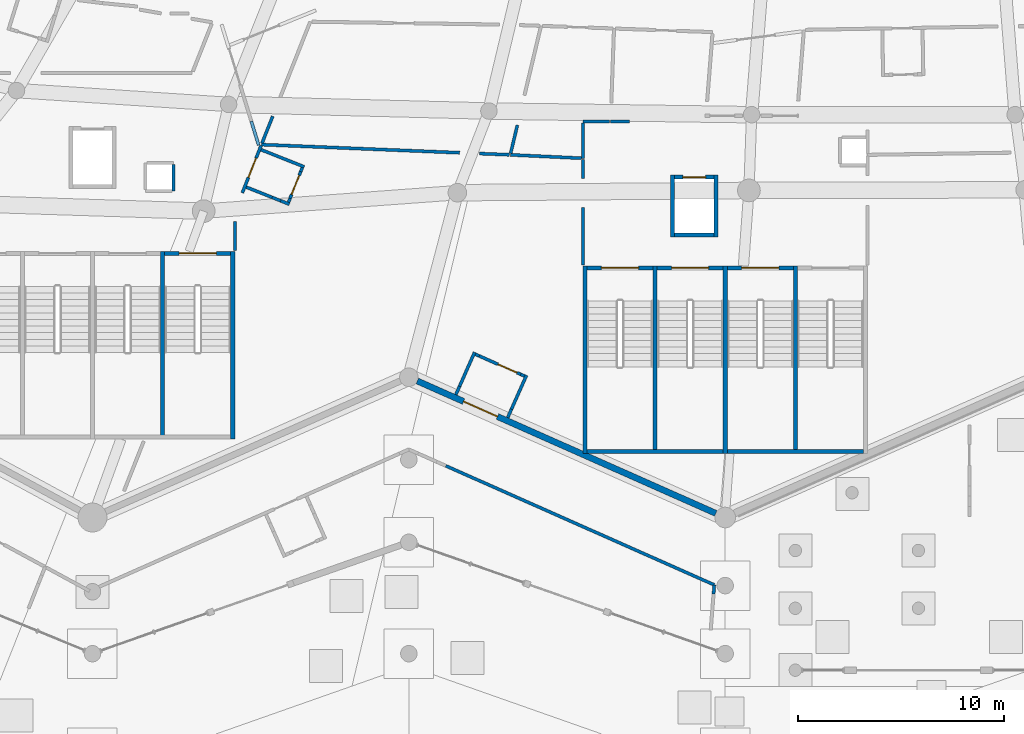
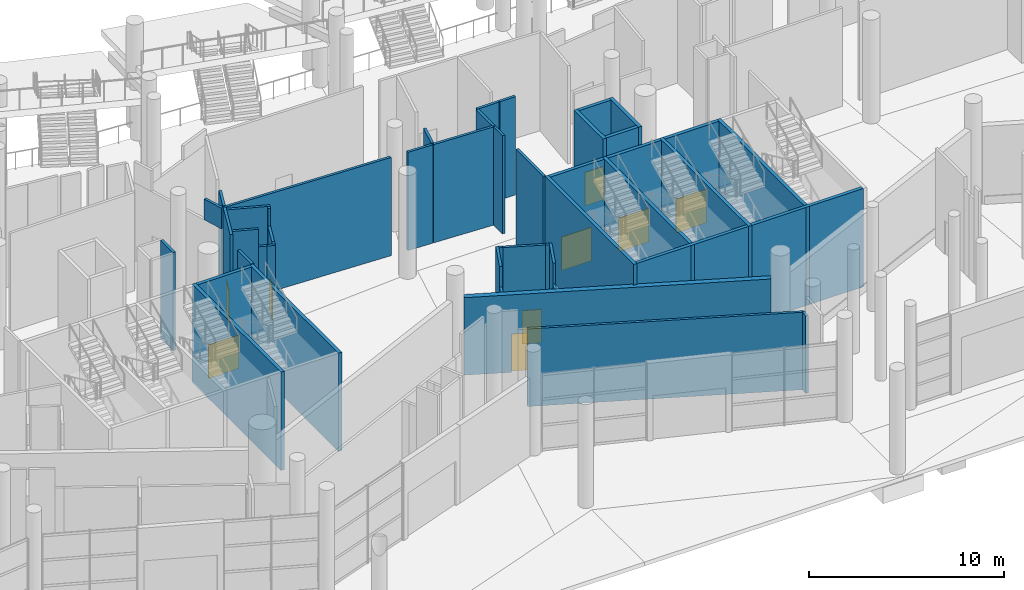
# One storey, part 106 of 255: 47 walls, 9 doors, 9 openings.
"""IFC4 building model written with IfcOpenShell, lengths in metres."""

from ifc_helpers import new_model, si_unit, direction, frame, frame_2d, origin, place, context, subcontext, project, spatial, rectangle, extrude, material, layer, layer_set, type_object, element, fill, save


model = new_model("IFC4")

# Units and contexts
model_context = context("Model", 3, precision=1e-05, world=origin(), true_north=direction((0.0, 1.0)))
body_context = subcontext(model_context, "Body", "Model", "MODEL_VIEW")
ifc_project = project(units=[si_unit("LENGTHUNIT", "METRE"), si_unit("AREAUNIT", "SQUARE_METRE"), si_unit("VOLUMEUNIT", "CUBIC_METRE"), si_unit("PLANEANGLEUNIT", "RADIAN"), si_unit("MASSUNIT", "GRAM", prefix="KILO")], contexts=[model_context])

# Site, building, storey
site_placement = place(None, origin())
site = spatial("IfcSite", under=ifc_project, at=site_placement, CompositionType="ELEMENT")
building_placement = place(site_placement, origin())
building = spatial("IfcBuilding", under=site, at=building_placement, Name="Meseta Stadium", CompositionType="ELEMENT")
storey_placement = place(building_placement, origin())
storey = spatial("IfcBuildingStorey", under=building, at=storey_placement, Name="L00", CompositionType="ELEMENT", Elevation=0.0)

# Walls
ifc_material_1 = material(Name="Concrete C40/50", Category="concrete")
ifc_layer_1 = layer(ifc_material_1, 0.199951171875)
ifc_layer_set_1 = layer_set([ifc_layer_1], Name="Core divider wall 200")
wall_type_1 = type_object("IfcWallType", Name="Core divider wall 200", PredefinedType="SHEAR", material=ifc_layer_set_1)
for number, where, z_axis, x_axis, name in (
    (1, (-34.933349609375, -101.60009765625, 0.0), (0.0, 0.0, 1.0), (0.0, 1.0, 0.0), "Core 23 L00 stair B divider wall"),
    (2, (-11.066650390625, -102.300048828125, 0.0), (0.0, 0.0, 1.0), (0.0, 1.0, 0.0), "Core 24 L00 stair A divider wall"),
    (3, (-4.2666015625, -102.300048828125, 0.0), (0.0, 0.0, 1.0), (0.0, 1.0, 0.0), "Core 24 L00 stair B divider wall"),
):
    element("IfcWall", number, at=place(storey_placement, frame(where, z_axis=z_axis, x_axis=x_axis)), inside=storey, type_object=wall_type_1, Name=name, PredefinedType="SHEAR", context=body_context, shape_type="SweptSolid", body=[
        extrude(rectangle(XDim=9.10009765625, YDim=0.199951171875, at=frame_2d((4.550048828125, 0.0))), origin(), (0.0, 0.0, 1.0), 6.14990234375),
    ])
ifc_material_2 = material(Name="Concrete C40/50", Category="concrete")
ifc_layer_2 = layer(ifc_material_2, 0.199951171875)
ifc_layer_set_2 = layer_set([ifc_layer_2], Name="Core shaft wall 200")
wall_type_2 = type_object("IfcWallType", Name="Core shaft wall 200", PredefinedType="SHEAR", material=ifc_layer_set_2)
wall_1_placement = place(storey_placement, frame((-31.533203125, -101.60009765625, 0.0), z_axis=(0.0, 0.0, 1.0), x_axis=(0.0, 1.0, 0.0)))
element("IfcWall", 4, at=wall_1_placement, inside=storey, type_object=wall_type_2, Name="Core 23 L00 stair wall B-side", PredefinedType="SHEAR", context=body_context, shape_type="SweptSolid", body=[
    extrude(rectangle(XDim=9.10009765625, YDim=0.199951171875, at=frame_2d((4.550048828125, 0.0))), origin(), (0.0, 0.0, 1.0), 6.14990234375),
])

# Wall, opening, door
wall_2_placement = place(storey_placement, frame((-34.833251953125, -92.60009765625, 0.0), z_axis=(0.0, 0.0, 1.0), x_axis=(1.0, 0.0, 0.0)))
wall_2 = element("IfcWall", 5, at=wall_2_placement, inside=storey, type_object=wall_type_2, Name="Core 23 L00 stair B2 inner end wall", PredefinedType="SHEAR", context=body_context, shape_type="SweptSolid", body=[
    extrude(rectangle(XDim=3.199951171875, YDim=0.199951171875, at=frame_2d((1.60009765625, 0.0))), origin(), (0.0, 0.0, 1.0), 6.14990234375),
])
opening_1_placement = place(wall_2_placement, frame((0.699951171875, 0.0, 0.0)))
opening_1 = element("IfcOpeningElement", 6, at=opening_1_placement, cuts=wall_2, Name="Opening D312", PredefinedType="OPENING", context=body_context, shape_type="SweptSolid", body=[
    extrude(rectangle(XDim=1.800048828125, YDim=2.10009765625, at=frame_2d((0.89990234375, 1.050048828125))), frame((0.0, 0.10986328125, 0.0), z_axis=(0.0, -1.0, 0.0), x_axis=(1.0, 0.0, 0.0)), (0.0, 0.0, 1.0), 0.219970703125),
])
ifc_material_3 = material(Name="Steel", Category="steel")
door_type_1 = type_object("IfcDoorType", Name="Stair door 1800x2100", OperationType="DOUBLE_DOOR_SINGLE_SWING", PredefinedType="DOOR", material=ifc_material_3)
door_1_placement = place(opening_1_placement, origin())
door_1 = element("IfcDoor", 7, at=door_1_placement, inside=storey, type_object=door_type_1, Name="Stair B2 door 23 L00", OperationType="DOUBLE_DOOR_SINGLE_SWING", OverallHeight=2.10009765625, OverallWidth=1.800048828125, PredefinedType="DOOR", context=body_context, shape_type="SweptSolid", body=[
    extrude(rectangle(XDim=1.800048828125, YDim=2.10009765625, at=frame_2d((0.89990234375, 1.050048828125))), frame((0.0, 0.02490234375, 0.0), z_axis=(0.0, -1.0, 0.0), x_axis=(1.0, 0.0, 0.0)), (0.0, 0.0, 1.0), 0.050048828125),
])
fill(opening_1, door_1)

# Walls
for number, where, z_axis, x_axis, name in (
    (8, (-14.466796875, -102.300048828125, 0.0), (0.0, 0.0, 1.0), (0.0, 1.0, 0.0), "Core 24 L00 stair wall A-side"),
    (9, (-7.666748046875, -102.300048828125, 0.0), (0.0, 0.0, 1.0), (0.0, 1.0, 0.0), "Core 24 L00 stair wall shared"),
):
    element("IfcWall", number, at=place(storey_placement, frame(where, z_axis=z_axis, x_axis=x_axis)), inside=storey, type_object=wall_type_2, Name=name, PredefinedType="SHEAR", context=body_context, shape_type="SweptSolid", body=[
        extrude(rectangle(XDim=9.10009765625, YDim=0.199951171875, at=frame_2d((4.550048828125, 0.0))), origin(), (0.0, 0.0, 1.0), 6.14990234375),
    ])
wall_3_placement = place(storey_placement, frame((-14.36669921875, -102.199951171875, 0.0), z_axis=(0.0, 0.0, 1.0), x_axis=(1.0, 0.0, 0.0)))
element("IfcWall", 10, at=wall_3_placement, inside=storey, type_object=wall_type_2, Name="Core 24 L00 stair A outer end wall", PredefinedType="SHEAR", context=body_context, shape_type="SweptSolid", body=[
    extrude(rectangle(XDim=6.60009765625, YDim=0.199951171875, at=frame_2d((3.300048828125, 0.0))), origin(), (0.0, 0.0, 1.0), 6.14990234375),
])
wall_4_placement = place(storey_placement, frame((-7.566650390625, -102.199951171875, 0.0), z_axis=(0.0, 0.0, 1.0), x_axis=(1.0, 0.0, 0.0)))
element("IfcWall", 11, at=wall_4_placement, inside=storey, type_object=wall_type_2, Name="Core 24 L00 stair B outer end wall", PredefinedType="SHEAR", context=body_context, shape_type="SweptSolid", body=[
    extrude(rectangle(XDim=6.599853515625, YDim=0.199951171875, at=frame_2d((3.2998046875, 0.0))), origin(), (0.0, 0.0, 1.0), 6.14990234375),
])

# Wall, opening, door
wall_5_placement = place(storey_placement, frame((-14.36669921875, -93.300048828125, 0.0), z_axis=(0.0, 0.0, 1.0), x_axis=(1.0, 0.0, 0.0)))
wall_5 = element("IfcWall", 12, at=wall_5_placement, inside=storey, type_object=wall_type_2, Name="Core 24 L00 stair A1 inner end wall", PredefinedType="SHEAR", context=body_context, shape_type="SweptSolid", body=[
    extrude(rectangle(XDim=3.199951171875, YDim=0.199951171875, at=frame_2d((1.60009765625, 0.0))), origin(), (0.0, 0.0, 1.0), 6.14990234375),
])
opening_2_placement = place(wall_5_placement, frame((0.699951171875, 0.0, 0.0)))
opening_2 = element("IfcOpeningElement", 13, at=opening_2_placement, cuts=wall_5, Name="Opening D321", PredefinedType="OPENING", context=body_context, shape_type="SweptSolid", body=[
    extrude(rectangle(XDim=1.800048828125, YDim=2.10009765625, at=frame_2d((0.89990234375, 1.050048828125))), frame((0.0, 0.10986328125, 0.0), z_axis=(0.0, -1.0, 0.0), x_axis=(1.0, 0.0, 0.0)), (0.0, 0.0, 1.0), 0.219970703125),
])
door_2_placement = place(opening_2_placement, origin())
door_2 = element("IfcDoor", 14, at=door_2_placement, inside=storey, type_object=door_type_1, Name="Stair A1 door 24 L00", OperationType="DOUBLE_DOOR_SINGLE_SWING", OverallHeight=2.10009765625, OverallWidth=1.800048828125, PredefinedType="DOOR", context=body_context, shape_type="SweptSolid", body=[
    extrude(rectangle(XDim=1.800048828125, YDim=2.10009765625, at=frame_2d((0.89990234375, 1.050048828125))), frame((0.0, 0.02490234375, 0.0), z_axis=(0.0, -1.0, 0.0), x_axis=(1.0, 0.0, 0.0)), (0.0, 0.0, 1.0), 0.050048828125),
])
fill(opening_2, door_2)

wall_6_placement = place(storey_placement, frame((-10.966796875, -93.300048828125, 0.0), z_axis=(0.0, 0.0, 1.0), x_axis=(1.0, 0.0, 0.0)))
wall_6 = element("IfcWall", 15, at=wall_6_placement, inside=storey, type_object=wall_type_2, Name="Core 24 L00 stair A2 inner end wall", PredefinedType="SHEAR", context=body_context, shape_type="SweptSolid", body=[
    extrude(rectangle(XDim=3.2001953125, YDim=0.199951171875, at=frame_2d((1.60009765625, 0.0))), origin(), (0.0, 0.0, 1.0), 6.14990234375),
])
opening_3_placement = place(wall_6_placement, frame((0.699951171875, 0.0, 0.0)))
opening_3 = element("IfcOpeningElement", 16, at=opening_3_placement, cuts=wall_6, Name="Opening D322", PredefinedType="OPENING", context=body_context, shape_type="SweptSolid", body=[
    extrude(rectangle(XDim=1.800048828125, YDim=2.10009765625, at=frame_2d((0.89990234375, 1.050048828125))), frame((0.0, 0.10986328125, 0.0), z_axis=(0.0, -1.0, 0.0), x_axis=(1.0, 0.0, 0.0)), (0.0, 0.0, 1.0), 0.219970703125),
])
door_3_placement = place(opening_3_placement, origin())
door_3 = element("IfcDoor", 17, at=door_3_placement, inside=storey, type_object=door_type_1, Name="Stair A2 door 24 L00", OperationType="DOUBLE_DOOR_SINGLE_SWING", OverallHeight=2.10009765625, OverallWidth=1.800048828125, PredefinedType="DOOR", context=body_context, shape_type="SweptSolid", body=[
    extrude(rectangle(XDim=1.800048828125, YDim=2.10009765625, at=frame_2d((0.89990234375, 1.050048828125))), frame((0.0, 0.02490234375, 0.0), z_axis=(0.0, -1.0, 0.0), x_axis=(1.0, 0.0, 0.0)), (0.0, 0.0, 1.0), 0.050048828125),
])
fill(opening_3, door_3)

wall_7_placement = place(storey_placement, frame((-7.566650390625, -93.300048828125, 0.0), z_axis=(0.0, 0.0, 1.0), x_axis=(1.0, 0.0, 0.0)))
wall_7 = element("IfcWall", 18, at=wall_7_placement, inside=storey, type_object=wall_type_2, Name="Core 24 L00 stair B1 inner end wall", PredefinedType="SHEAR", context=body_context, shape_type="SweptSolid", body=[
    extrude(rectangle(XDim=3.199951171875, YDim=0.199951171875, at=frame_2d((1.60009765625, 0.0))), origin(), (0.0, 0.0, 1.0), 6.14990234375),
])
opening_4_placement = place(wall_7_placement, frame((0.699951171875, 0.0, 0.0)))
opening_4 = element("IfcOpeningElement", 19, at=opening_4_placement, cuts=wall_7, Name="Opening D323", PredefinedType="OPENING", context=body_context, shape_type="SweptSolid", body=[
    extrude(rectangle(XDim=1.800048828125, YDim=2.10009765625, at=frame_2d((0.89990234375, 1.050048828125))), frame((0.0, 0.10986328125, 0.0), z_axis=(0.0, -1.0, 0.0), x_axis=(1.0, 0.0, 0.0)), (0.0, 0.0, 1.0), 0.219970703125),
])
door_4_placement = place(opening_4_placement, origin())
door_4 = element("IfcDoor", 20, at=door_4_placement, inside=storey, type_object=door_type_1, Name="Stair B1 door 24 L00", OperationType="DOUBLE_DOOR_SINGLE_SWING", OverallHeight=2.10009765625, OverallWidth=1.800048828125, PredefinedType="DOOR", context=body_context, shape_type="SweptSolid", body=[
    extrude(rectangle(XDim=1.800048828125, YDim=2.10009765625, at=frame_2d((0.89990234375, 1.050048828125))), frame((0.0, 0.02490234375, 0.0), z_axis=(0.0, -1.0, 0.0), x_axis=(1.0, 0.0, 0.0)), (0.0, 0.0, 1.0), 0.050048828125),
])
fill(opening_4, door_4)

# Walls
for number, where, z_axis, x_axis, name in (
    (21, (-10.216796875, -91.800048828125, 0.0), (0.0, 0.0, 1.0), (0.0, 1.0, 0.0), "Core 24 L00 lift shaft wall left"),
    (22, (-8.11669921875, -91.800048828125, 0.0), (0.0, 0.0, 1.0), (0.0, 1.0, 0.0), "Core 24 L00 lift shaft wall right"),
):
    element("IfcWall", number, at=place(storey_placement, frame(where, z_axis=z_axis, x_axis=x_axis)), inside=storey, type_object=wall_type_2, Name=name, PredefinedType="SHEAR", context=body_context, shape_type="SweptSolid", body=[
        extrude(rectangle(XDim=3.0, YDim=0.199951171875, at=frame_2d((1.5, 0.0))), origin(), (0.0, 0.0, 1.0), 6.14990234375),
    ])
wall_8_placement = place(storey_placement, frame((-10.11669921875, -91.699951171875, 0.0), z_axis=(0.0, 0.0, 1.0), x_axis=(1.0, 0.0, 0.0)))
element("IfcWall", 23, at=wall_8_placement, inside=storey, type_object=wall_type_2, Name="Core 24 L00 lift shaft back wall", PredefinedType="SHEAR", context=body_context, shape_type="SweptSolid", body=[
    extrude(rectangle(XDim=1.89990234375, YDim=0.199951171875, at=frame_2d((0.949951171875, 0.0))), origin(), (0.0, 0.0, 1.0), 6.14990234375),
])

# Wall, opening, door
wall_9_placement = place(storey_placement, frame((-10.11669921875, -88.89990234375, 0.0), z_axis=(0.0, 0.0, 1.0), x_axis=(1.0, 0.0, 0.0)))
wall_9 = element("IfcWall", 24, at=wall_9_placement, inside=storey, type_object=wall_type_2, Name="Core 24 L00 lift shaft front wall", PredefinedType="SHEAR", context=body_context, shape_type="SweptSolid", body=[
    extrude(rectangle(XDim=1.89990234375, YDim=0.199951171875, at=frame_2d((0.949951171875, 0.0))), origin(), (0.0, 0.0, 1.0), 6.14990234375),
])
opening_5_placement = place(wall_9_placement, frame((0.39990234375, 0.0, 0.0)))
opening_5 = element("IfcOpeningElement", 25, at=opening_5_placement, cuts=wall_9, Name="Opening LD130", PredefinedType="OPENING", context=body_context, shape_type="SweptSolid", body=[
    extrude(rectangle(XDim=1.10009765625, YDim=2.10009765625, at=frame_2d((0.550048828125, 1.050048828125))), frame((0.0, 0.10986328125, 0.0), z_axis=(0.0, -1.0, 0.0), x_axis=(1.0, 0.0, 0.0)), (0.0, 0.0, 1.0), 0.219970703125),
])
ifc_material_4 = material(Name="Steel", Category="steel")
door_type_2 = type_object("IfcDoorType", Name="Lift landing door 1100x2100", OperationType="SLIDING_TO_LEFT", PredefinedType="DOOR", material=ifc_material_4)
door_5_placement = place(opening_5_placement, origin())
door_5 = element("IfcDoor", 26, at=door_5_placement, inside=storey, type_object=door_type_2, Name="Lift landing door LD130", OperationType="SLIDING_TO_RIGHT", OverallHeight=2.10009765625, OverallWidth=1.10009765625, PredefinedType="DOOR", context=body_context, shape_type="SweptSolid", body=[
    extrude(rectangle(XDim=1.10009765625, YDim=2.10009765625, at=frame_2d((0.550048828125, 1.050048828125))), frame((0.0, 0.02490234375, 0.0), z_axis=(0.0, -1.0, 0.0), x_axis=(1.0, 0.0, 0.0)), (0.0, 0.0, 1.0), 0.050048828125),
])
fill(opening_5, door_5)

# Walls
ifc_material_5 = material(Name="Masonry blockwork", Category="masonry")
ifc_layer_3 = layer(ifc_material_5, 0.14990234375)
ifc_layer_set_3 = layer_set([ifc_layer_3], Name="Partition 150")
wall_type_3 = type_object("IfcWallType", Name="Partition 150", PredefinedType="PARTITIONING", material=ifc_layer_set_3)
wall_10_placement = place(storey_placement, frame((-12.2998046875, -86.199951171875, 0.0), z_axis=(0.0, 0.0, 1.0), x_axis=(-1.0, 0.0, 0.0)))
element("IfcWall", 27, at=wall_10_placement, inside=storey, type_object=wall_type_3, Name="Partition L00 L00-cell22-1-0a", PredefinedType="PARTITIONING", context=body_context, shape_type="SweptSolid", body=[
    extrude(rectangle(XDim=0.919921875, YDim=0.14990234375, at=frame_2d((0.4599609375, 0.0))), origin(), (0.0, 0.0, 1.0), 6.14990234375),
])
wall_11_placement = place(storey_placement, frame((-13.269775390625, -86.199951171875, 0.0), z_axis=(0.0, 0.0, 1.0), x_axis=(-1.0, 0.0, 0.0)))
element("IfcWall", 28, at=wall_11_placement, inside=storey, type_object=wall_type_3, Name="Partition L00 L00-cell22-1-0b1", PredefinedType="PARTITIONING", context=body_context, shape_type="SweptSolid", body=[
    extrude(rectangle(XDim=1.296875, YDim=0.14990234375, at=frame_2d((0.6484375, 0.0))), origin(), (0.0, 0.0, 1.0), 6.14990234375),
])
wall_12_placement = place(storey_placement, frame((-14.566650390625, -86.27490234375, 0.0), z_axis=(0.0, 0.0, 1.0), x_axis=(0.0, -1.0, 0.0)))
element("IfcWall", 29, at=wall_12_placement, inside=storey, type_object=wall_type_3, Name="Partition L00 L00-cell22-1-0b1", PredefinedType="PARTITIONING", context=body_context, shape_type="SweptSolid", body=[
    extrude(rectangle(XDim=1.713623046875, YDim=0.14990234375, at=frame_2d((0.85693359375, 0.0))), origin(), (0.0, 0.0, 1.0), 6.14990234375),
])
wall_13_placement = place(storey_placement, frame((-14.6416015625, -87.985107421875, 0.0), z_axis=(0.0, 0.0, 1.0), x_axis=(-0.998882044853, 0.047272195538, 0.0)))
element("IfcWall", 30, at=wall_13_placement, inside=storey, type_object=wall_type_3, Name="Partition L00 L00-cell22-1-0b1", PredefinedType="PARTITIONING", context=body_context, shape_type="SweptSolid", body=[
    extrude(rectangle(XDim=3.44482421875, YDim=0.14990234375, at=frame_2d((1.722412109375, 0.0))), origin(), (0.0, 0.0, 1.0), 6.14990234375),
])
wall_14_placement = place(storey_placement, frame((-18.064697265625, -87.747802734375, 0.0), z_axis=(0.0, 0.0, 1.0), x_axis=(0.231534489268, 0.972826695912, 0.0)))
element("IfcWall", 31, at=wall_14_placement, inside=storey, type_object=wall_type_3, Name="Partition L00 L00-cell22-1-0b1", PredefinedType="PARTITIONING", context=body_context, shape_type="SweptSolid", body=[
    extrude(rectangle(XDim=1.40673828125, YDim=0.14990234375, at=frame_2d((0.703369140625, 0.0))), origin(), (0.0, 0.0, 1.0), 6.14990234375),
])
wall_15_placement = place(storey_placement, frame((-18.13232421875, -87.819580078125, 0.0), z_axis=(0.0, 0.0, 1.0), x_axis=(-0.999160717518, 0.040961696364, 0.0)))
element("IfcWall", 32, at=wall_15_placement, inside=storey, type_object=wall_type_3, Name="Partition L00 L00-cell22-1-0w", PredefinedType="PARTITIONING", context=body_context, shape_type="SweptSolid", body=[
    extrude(rectangle(XDim=1.4423828125, YDim=0.14990234375, at=frame_2d((0.72119140625, 0.0))), origin(), (0.0, 0.0, 1.0), 6.14990234375),
])
wall_16_placement = place(storey_placement, frame((-20.534423828125, -87.720947265625, 0.0), z_axis=(0.0, 0.0, 1.0), x_axis=(-0.999155019023, 0.041100461807, 0.0)))
element("IfcWall", 33, at=wall_16_placement, inside=storey, type_object=wall_type_3, Name="Partition L00 L00-cell22-1-0w", PredefinedType="PARTITIONING", context=body_context, shape_type="SweptSolid", body=[
    extrude(rectangle(XDim=9.616943359375, YDim=0.14990234375, at=frame_2d((4.80859375, 0.0))), origin(), (0.0, 0.0, 1.0), 6.14990234375),
])
wall_17_placement = place(storey_placement, frame((-30.114013671875, -87.251953125, 0.0), z_axis=(0.0, 0.0, 1.0), x_axis=(0.36874266044, 0.929531521989, 0.0)))
element("IfcWall", 34, at=wall_17_placement, inside=storey, type_object=wall_type_3, Name="Partition L00 L00-cell22-1-0w", PredefinedType="PARTITIONING", context=body_context, shape_type="SweptSolid", body=[
    extrude(rectangle(XDim=1.399658203125, YDim=0.14990234375, at=frame_2d((0.69970703125, 0.0))), origin(), (0.0, 0.0, 1.0), 6.14990234375),
])
wall_18_placement = place(storey_placement, frame((-31.433349609375, -92.4599609375, 0.0), z_axis=(0.0, 0.0, 1.0), x_axis=(0.0, 1.0, 0.0)))
element("IfcWall", 35, at=wall_18_placement, inside=storey, type_object=wall_type_3, Name="Partition L00 L00-cell22-2-0", PredefinedType="PARTITIONING", context=body_context, shape_type="SweptSolid", body=[
    extrude(rectangle(XDim=1.41259765625, YDim=0.14990234375, at=frame_2d((0.706298828125, 0.0))), origin(), (0.0, 0.0, 1.0), 6.14990234375),
])

# Wall, opening, door
wall_19_placement = place(storey_placement, frame((-31.070068359375, -89.660888671875, 0.0), z_axis=(0.0, 0.0, 1.0), x_axis=(0.368859118019, 0.929485315137, 0.0)))
wall_19 = element("IfcWall", 36, at=wall_19_placement, inside=storey, type_object=wall_type_3, Name="Partition L00 L00-cell22-2-0", PredefinedType="PARTITIONING", context=body_context, shape_type="SweptSolid", body=[
    extrude(rectangle(XDim=2.462158203125, YDim=0.14990234375, at=frame_2d((1.23095703125, 0.0))), origin(), (0.0, 0.0, 1.0), 6.14990234375),
])
opening_6_placement = place(wall_19_placement, frame((0.800048828125, 0.0, 0.0)))
opening_6 = element("IfcOpeningElement", 37, at=opening_6_placement, cuts=wall_19, Name="Opening D601", PredefinedType="OPENING", context=body_context, shape_type="SweptSolid", body=[
    extrude(rectangle(XDim=1.0, YDim=2.10009765625, at=frame_2d((0.5, 1.050048828125))), frame((0.0, 0.0849609375, 0.0), z_axis=(0.0, -1.0, 0.0), x_axis=(1.0, 0.0, 0.0)), (0.0, 0.0, 1.0), 0.169921875),
])
ifc_material_6 = material(Name="Steel", Category="steel")
door_type_3 = type_object("IfcDoorType", Name="Fire door 1000x2100 EI2 60", OperationType="NOTDEFINED", PredefinedType="DOOR", material=ifc_material_6)
door_6_placement = place(opening_6_placement, origin())
door_6 = element("IfcDoor", 38, at=door_6_placement, inside=storey, type_object=door_type_3, Name="Door D601", OperationType="SINGLE_SWING_RIGHT", OverallHeight=2.10009765625, OverallWidth=1.0, PredefinedType="DOOR", context=body_context, shape_type="SweptSolid", body=[
    extrude(rectangle(XDim=1.0, YDim=2.10009765625, at=frame_2d((0.5, 1.050048828125))), frame((0.0, 0.02490234375, 0.0), z_axis=(0.0, -1.0, 0.0), x_axis=(1.0, 0.0, 0.0)), (0.0, 0.0, 1.0), 0.050048828125),
])
fill(opening_6, door_6)

# Walls
wall_20_placement = place(storey_placement, frame((-14.566650390625, -88.03857421875, 0.0), z_axis=(0.0, 0.0, 1.0), x_axis=(0.0, -1.0, 0.0)))
element("IfcWall", 39, at=wall_20_placement, inside=storey, type_object=wall_type_3, Name="Partition L00 L00-cell22-2-0", PredefinedType="PARTITIONING", context=body_context, shape_type="SweptSolid", body=[
    extrude(rectangle(XDim=0.93115234375, YDim=0.14990234375, at=frame_2d((0.465576171875, 0.0))), origin(), (0.0, 0.0, 1.0), 6.14990234375),
])
wall_21_placement = place(storey_placement, frame((-14.566650390625, -90.366455078125, 0.0), z_axis=(0.0, 0.0, 1.0), x_axis=(0.0, -1.0, 0.0)))
element("IfcWall", 40, at=wall_21_placement, inside=storey, type_object=wall_type_3, Name="Partition L00 L00-cell22-2-0", PredefinedType="PARTITIONING", context=body_context, shape_type="SweptSolid", body=[
    extrude(rectangle(XDim=2.79345703125, YDim=0.14990234375, at=frame_2d((1.396728515625, 0.0))), origin(), (0.0, 0.0, 1.0), 6.14990234375),
])
wall_22_placement = place(storey_placement, frame((-21.20556640625, -102.896484375, 0.0), z_axis=(0.0, 0.0, 1.0), x_axis=(0.914139488504, -0.405399797184, 0.0)))
element("IfcWall", 41, at=wall_22_placement, inside=storey, type_object=wall_type_3, Name="Partition L00 L00-ring22-0", PredefinedType="PARTITIONING", context=body_context, shape_type="SweptSolid", body=[
    extrude(rectangle(XDim=14.231689453125, YDim=0.14990234375, at=frame_2d((7.11572265625, 0.0))), origin(), (0.0, 0.0, 1.0), 4.85009765625),
])
wall_23_placement = place(storey_placement, frame((-8.19580078125, -108.666015625, 0.0), z_axis=(0.0, 0.0, 1.0), x_axis=(-0.079081162937, -0.996868180688, 0.0)))
element("IfcWall", 42, at=wall_23_placement, inside=storey, type_object=wall_type_3, Name="Partition L00 L00-ring22-0", PredefinedType="PARTITIONING", context=body_context, shape_type="SweptSolid", body=[
    extrude(rectangle(XDim=0.4384765625, YDim=0.14990234375, at=frame_2d((0.21923828125, 0.0))), origin(), (0.0, 0.0, 1.0), 4.85009765625),
])
wall_24_placement = place(storey_placement, frame((-34.408203125, -89.576171875, 0.0), z_axis=(0.0, 0.0, 1.0), x_axis=(0.0, 1.0, 0.0)))
element("IfcWall", 43, at=wall_24_placement, inside=storey, type_object=wall_type_3, Name="Pressurisation shaft wall L00 core 23", PredefinedType="PARTITIONING", context=body_context, shape_type="SweptSolid", body=[
    extrude(rectangle(XDim=1.275146484375, YDim=0.14990234375, at=frame_2d((0.6376953125, 0.0))), origin(), (0.0, 0.0, 1.0), 6.14990234375),
])
wall_25_placement = place(storey_placement, frame((-30.88037109375, -89.38671875, 0.0), z_axis=(0.0, 0.0, 1.0), x_axis=(0.929533022472, -0.368738877981, 0.0)))
element("IfcWall", 44, at=wall_25_placement, inside=storey, type_object=wall_type_3, Name="Partition L00 L00-cell22-2-0 vestibule", PredefinedType="PARTITIONING", context=body_context, shape_type="SweptSolid", body=[
    extrude(rectangle(XDim=1.35009765625, YDim=0.14990234375, at=frame_2d((0.675048828125, 0.0))), origin(), (0.0, 0.0, 1.0), 6.14990234375),
])
for number, where, z_axis, x_axis, name in (
    (45, (-29.62548828125, -89.884521484375, 0.0), (0.0, 0.0, 1.0), (0.929446414306, -0.368957128855, 0.0), "Partition L00 L00-cell22-2-0 vestibule"),
    (46, (-29.207275390625, -90.050537109375, 0.0), (0.0, 0.0, 1.0), (0.929632399403, -0.368488265729, 0.0), "Partition L00 L00-cell22-2-0 vestibule"),
):
    element("IfcWall", number, at=place(storey_placement, frame(where, z_axis=z_axis, x_axis=x_axis)), inside=storey, type_object=wall_type_3, Name=name, PredefinedType="PARTITIONING", context=body_context, shape_type="SweptSolid", body=[
        extrude(rectangle(XDim=0.449951171875, YDim=0.14990234375, at=frame_2d((0.22509765625, 0.0))), origin(), (0.0, 0.0, 1.0), 5.050048828125),
    ])
wall_26_placement = place(storey_placement, frame((-30.1611328125, -87.57421875, 0.0), z_axis=(0.0, 0.0, 1.0), x_axis=(0.929535584053, -0.368732420571, 0.0)))
element("IfcWall", 47, at=wall_26_placement, inside=storey, type_object=wall_type_3, Name="Partition L00 L00-cell22-2-0 vestibule", PredefinedType="PARTITIONING", context=body_context, shape_type="SweptSolid", body=[
    extrude(rectangle(XDim=2.249755859375, YDim=0.14990234375, at=frame_2d((1.125, 0.0))), origin(), (0.0, 0.0, 1.0), 6.14990234375),
])
wall_27_placement = place(storey_placement, frame((-28.8310546875, -90.119140625, 0.0), z_axis=(0.0, 0.0, 1.0), x_axis=(0.368443949151, 0.929649964414, 0.0)))
element("IfcWall", 48, at=wall_27_placement, inside=storey, type_object=wall_type_3, Name="Partition L00 L00-cell22-2-0 vestibule", PredefinedType="PARTITIONING", context=body_context, shape_type="SweptSolid", body=[
    extrude(rectangle(XDim=0.2001953125, YDim=0.14990234375, at=frame_2d((0.10009765625, 0.0))), origin(), (0.0, 0.0, 1.0), 5.050048828125),
])

# Wall, opening, door
wall_28_placement = place(storey_placement, frame((-28.75732421875, -89.93310546875, 0.0), z_axis=(0.0, 0.0, 1.0), x_axis=(0.368833562796, 0.929495456124, 0.0)))
wall_28 = element("IfcWall", 49, at=wall_28_placement, inside=storey, type_object=wall_type_3, Name="Partition L00 L00-cell22-2-0 vestibule", PredefinedType="PARTITIONING", context=body_context, shape_type="SweptSolid", body=[
    extrude(rectangle(XDim=1.39990234375, YDim=0.14990234375, at=frame_2d((0.699951171875, 0.0))), origin(), (0.0, 0.0, 1.0), 5.050048828125),
])
opening_7_placement = place(wall_28_placement, frame((0.199951171875, 0.0, 0.0)))
opening_7 = element("IfcOpeningElement", 50, at=opening_7_placement, cuts=wall_28, Name="Opening D860", PredefinedType="OPENING", context=body_context, shape_type="SweptSolid", body=[
    extrude(rectangle(XDim=1.0, YDim=2.10009765625, at=frame_2d((0.5, 1.050048828125))), frame((0.0, 0.0849609375, 0.0), z_axis=(0.0, -1.0, 0.0), x_axis=(1.0, 0.0, 0.0)), (0.0, 0.0, 1.0), 0.169921875),
])
door_7_placement = place(opening_7_placement, origin())
door_7 = element("IfcDoor", 51, at=door_7_placement, inside=storey, type_object=door_type_3, Name="Vestibule door L00 L00-cell22-2-0", OperationType="SINGLE_SWING_LEFT", OverallHeight=2.10009765625, OverallWidth=1.0, PredefinedType="DOOR", context=body_context, shape_type="SweptSolid", body=[
    extrude(rectangle(XDim=1.0, YDim=2.10009765625, at=frame_2d((0.5, 1.050048828125))), frame((0.0, 0.02490234375, 0.0), z_axis=(0.0, -1.0, 0.0), x_axis=(1.0, 0.0, 0.0)), (0.0, 0.0, 1.0), 0.050048828125),
])
fill(opening_7, door_7)

# Walls
wall_29_placement = place(storey_placement, frame((-28.240966796875, -88.6318359375, 0.0), z_axis=(0.0, 0.0, 1.0), x_axis=(0.368862269938, 0.929484064315, 0.0)))
element("IfcWall", 52, at=wall_29_placement, inside=storey, type_object=wall_type_3, Name="Partition L00 L00-cell22-2-0 vestibule", PredefinedType="PARTITIONING", context=body_context, shape_type="SweptSolid", body=[
    extrude(rectangle(XDim=0.199951171875, YDim=0.14990234375, at=frame_2d((0.10009765625, 0.0))), origin(), (0.0, 0.0, 1.0), 6.14990234375),
])
wall_30_placement = place(storey_placement, frame((-18.20849609375, -100.560791015625, 0.0), z_axis=(0.0, 0.0, 1.0), x_axis=(0.405282518143, 0.914191490054, 0.0)))
element("IfcWall", 53, at=wall_30_placement, inside=storey, type_object=wall_type_3, Name="Partition L00 L00-cell22-2-0 vestibule", PredefinedType="PARTITIONING", context=body_context, shape_type="SweptSolid", body=[
    extrude(rectangle(XDim=0.449951171875, YDim=0.14990234375, at=frame_2d((0.22509765625, 0.0))), origin(), (0.0, 0.0, 1.0), 4.85009765625),
])
wall_31_placement = place(storey_placement, frame((-18.026123046875, -100.1494140625, 0.0), z_axis=(0.0, 0.0, 1.0), x_axis=(0.405395866652, 0.914141231595, 0.0)))
element("IfcWall", 54, at=wall_31_placement, inside=storey, type_object=wall_type_3, Name="Partition L00 L00-cell22-2-0 vestibule", PredefinedType="PARTITIONING", context=body_context, shape_type="SweptSolid", body=[
    extrude(rectangle(XDim=1.800048828125, YDim=0.14990234375, at=frame_2d((0.89990234375, 0.0))), origin(), (0.0, 0.0, 1.0), 6.14990234375),
])
wall_32_placement = place(storey_placement, frame((-20.722412109375, -99.446044921875, 0.0), z_axis=(0.0, 0.0, 1.0), x_axis=(0.405282518143, 0.914191490054, 0.0)))
element("IfcWall", 55, at=wall_32_placement, inside=storey, type_object=wall_type_3, Name="Partition L00 L00-cell22-2-0 vestibule", PredefinedType="PARTITIONING", context=body_context, shape_type="SweptSolid", body=[
    extrude(rectangle(XDim=0.449951171875, YDim=0.14990234375, at=frame_2d((0.22509765625, 0.0))), origin(), (0.0, 0.0, 1.0), 4.85009765625),
])
wall_33_placement = place(storey_placement, frame((-20.5400390625, -99.03466796875, 0.0), z_axis=(0.0, 0.0, 1.0), x_axis=(0.405395866652, 0.914141231595, 0.0)))
element("IfcWall", 56, at=wall_33_placement, inside=storey, type_object=wall_type_3, Name="Partition L00 L00-cell22-2-0 vestibule", PredefinedType="PARTITIONING", context=body_context, shape_type="SweptSolid", body=[
    extrude(rectangle(XDim=1.800048828125, YDim=0.14990234375, at=frame_2d((0.89990234375, 0.0))), origin(), (0.0, 0.0, 1.0), 6.14990234375),
])
wall_34_placement = place(storey_placement, frame((-17.395263671875, -98.542236328125, 0.0), z_axis=(0.0, 0.0, 1.0), x_axis=(-0.914213764774, 0.405232269566, 0.0)))
element("IfcWall", 57, at=wall_34_placement, inside=storey, type_object=wall_type_3, Name="Partition L00 L00-cell22-2-0 vestibule", PredefinedType="PARTITIONING", context=body_context, shape_type="SweptSolid", body=[
    extrude(rectangle(XDim=0.199951171875, YDim=0.14990234375, at=frame_2d((0.10009765625, 0.0))), origin(), (0.0, 0.0, 1.0), 6.14990234375),
])

# Wall, opening, door
wall_35_placement = place(storey_placement, frame((-17.578125, -98.461181640625, 0.0), z_axis=(0.0, 0.0, 1.0), x_axis=(-0.914113298408, 0.405458848311, 0.0)))
wall_35 = element("IfcWall", 58, at=wall_35_placement, inside=storey, type_object=wall_type_3, Name="Partition L00 L00-cell22-2-0 vestibule", PredefinedType="PARTITIONING", context=body_context, shape_type="SweptSolid", body=[
    extrude(rectangle(XDim=2.2001953125, YDim=0.14990234375, at=frame_2d((1.10009765625, 0.0))), origin(), (0.0, 0.0, 1.0), 6.14990234375),
])
opening_8_placement = place(wall_35_placement, frame((0.199951171875, 0.0, 0.0)))
opening_8 = element("IfcOpeningElement", 59, at=opening_8_placement, cuts=wall_35, Name="Opening D861", PredefinedType="OPENING", context=body_context, shape_type="SweptSolid", body=[
    extrude(rectangle(XDim=1.0, YDim=2.10009765625, at=frame_2d((0.5, 1.050048828125))), frame((0.0, 0.0849609375, 0.0), z_axis=(0.0, -1.0, 0.0), x_axis=(1.0, 0.0, 0.0)), (0.0, 0.0, 1.0), 0.169921875),
])
door_8_placement = place(opening_8_placement, origin())
door_8 = element("IfcDoor", 60, at=door_8_placement, inside=storey, type_object=door_type_3, Name="Vestibule door L00 L00-cell22-2-0", OperationType="SINGLE_SWING_LEFT", OverallHeight=2.10009765625, OverallWidth=1.0, PredefinedType="DOOR", context=body_context, shape_type="SweptSolid", body=[
    extrude(rectangle(XDim=1.0, YDim=2.10009765625, at=frame_2d((0.5, 1.050048828125))), frame((0.0, 0.02490234375, 0.0), z_axis=(0.0, -1.0, 0.0), x_axis=(1.0, 0.0, 0.0)), (0.0, 0.0, 1.0), 0.050048828125),
])
fill(opening_8, door_8)

# Walls
wall_36_placement = place(storey_placement, frame((-19.58935546875, -97.569091796875, 0.0), z_axis=(0.0, 0.0, 1.0), x_axis=(-0.914213764774, 0.405232269566, 0.0)))
element("IfcWall", 61, at=wall_36_placement, inside=storey, type_object=wall_type_3, Name="Partition L00 L00-cell22-2-0 vestibule", PredefinedType="PARTITIONING", context=body_context, shape_type="SweptSolid", body=[
    extrude(rectangle(XDim=0.199951171875, YDim=0.14990234375, at=frame_2d((0.10009765625, 0.0))), origin(), (0.0, 0.0, 1.0), 6.14990234375),
])
wall_37_placement = place(storey_placement, frame((-30.63525390625, -86.194580078125, 4.85009765625), z_axis=(0.0, 0.0, 1.0), x_axis=(0.293507791135, -0.955956681311, 0.0)))
element("IfcWall", 62, at=wall_37_placement, inside=storey, type_object=wall_type_3, Name="Escape corridor sector wall L00 core 23", PredefinedType="PARTITIONING", context=body_context, shape_type="SweptSolid", body=[
    extrude(rectangle(XDim=1.217041015625, YDim=0.14990234375, at=frame_2d((0.6083984375, 0.0))), origin(), (0.0, 0.0, 1.0), 1.2998046875),
])

# Wall, opening, door
ifc_material_7 = material(Name="White precast concrete C40/50", Category="concrete")
ifc_layer_4 = layer(ifc_material_7, 0.300048828125)
ifc_layer_set_4 = layer_set([ifc_layer_4], Name="Pleated panel wall 300 concourse")
wall_type_4 = type_object("IfcWallType", Name="Pleated panel wall 300 concourse", PredefinedType="SOLIDWALL", material=ifc_layer_set_4)
wall_38_placement = place(storey_placement, frame((-8.123291015625, -105.197509765625, 0.0), z_axis=(0.0, 0.0, 1.0), x_axis=(-0.914138897099, 0.405401130748, 0.0)))
wall_38 = element("IfcWall", 63, at=wall_38_placement, inside=storey, type_object=wall_type_4, Name="Pleated facade panel L00 F45", PredefinedType="SOLIDWALL", context=body_context, shape_type="SweptSolid", body=[
    extrude(rectangle(XDim=15.824462890625, YDim=0.300048828125, at=frame_2d((7.912109375, 0.0))), origin(), (0.0, 0.0, 1.0), 4.85009765625),
])
opening_9_placement = place(wall_38_placement, frame((11.573974609375, 0.0, 0.0)))
opening_9 = element("IfcOpeningElement", 64, at=opening_9_placement, cuts=wall_38, Name="Opening D979", PredefinedType="OPENING", context=body_context, shape_type="SweptSolid", body=[
    extrude(rectangle(XDim=1.800048828125, YDim=2.39990234375, at=frame_2d((0.89990234375, 1.199951171875))), frame((0.0, 0.159912109375, 0.0), z_axis=(0.0, -1.0, 0.0), x_axis=(1.0, 0.0, 0.0)), (0.0, 0.0, 1.0), 0.320068359375),
])
ifc_material_8 = material(Name="Steel", Category="steel")
door_type_4 = type_object("IfcDoorType", Name="Fire double door 1800x2400 EI2 60", OperationType="DOUBLE_DOOR_SINGLE_SWING", PredefinedType="DOOR", material=ifc_material_8)
door_9_placement = place(opening_9_placement, origin())
door_9 = element("IfcDoor", 65, at=door_9_placement, inside=storey, type_object=door_type_4, Name="Concourse door", OperationType="DOUBLE_DOOR_SINGLE_SWING", OverallHeight=2.39990234375, OverallWidth=1.800048828125, PredefinedType="DOOR", context=body_context, shape_type="SweptSolid", body=[
    extrude(rectangle(XDim=1.800048828125, YDim=2.39990234375, at=frame_2d((0.89990234375, 1.199951171875))), frame((0.0, 0.02490234375, 0.0), z_axis=(0.0, -1.0, 0.0), x_axis=(1.0, 0.0, 0.0)), (0.0, 0.0, 1.0), 0.050048828125),
])
fill(opening_9, door_9)

save(model, "model.ifc")
